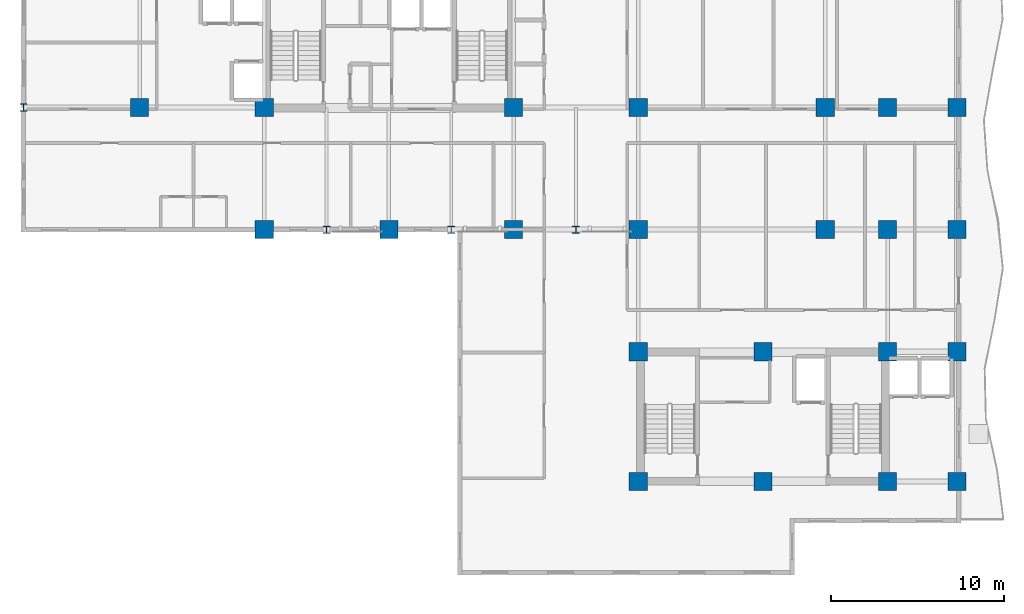
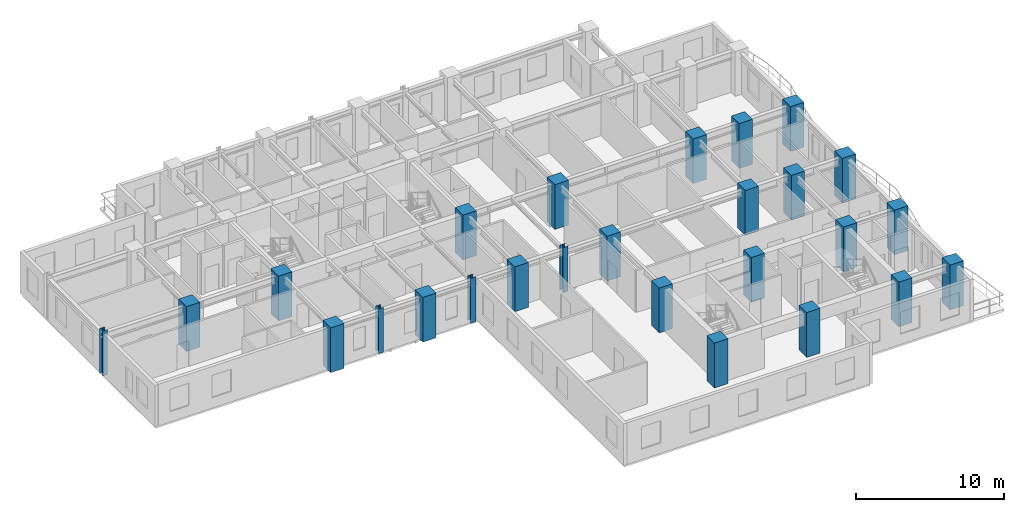
# One storey, part 1 of 13: 26 columns.
"""IFC4 building model written with IfcOpenShell, lengths in metres."""

from ifc_helpers import new_model, si_unit, direction, frame, origin, origin_2d, place, context, subcontext, project, spatial, rectangle, i_section, extrude, source, transform, mapped, material, material_profile, profile_set, type_object, element, save


model = new_model("IFC4")

# Units and contexts
model_context = context("Model", 3, precision=1e-05, world=origin(), true_north=direction((0.0, 1.0)))
body_context = subcontext(model_context, "Body", "Model", "MODEL_VIEW")
ifc_project = project(units=[si_unit("LENGTHUNIT", "METRE"), si_unit("AREAUNIT", "SQUARE_METRE"), si_unit("VOLUMEUNIT", "CUBIC_METRE"), si_unit("PLANEANGLEUNIT", "RADIAN"), si_unit("MASSUNIT", "GRAM", prefix="KILO")], contexts=[model_context])

# Site, building, storey
site_placement = place(None, origin())
site = spatial("IfcSite", under=ifc_project, at=site_placement, CompositionType="ELEMENT")
building_placement = place(site_placement, origin())
building = spatial("IfcBuilding", under=site, at=building_placement, Name="Kaliganga Portal Commons", CompositionType="ELEMENT")
storey_placement = place(building_placement, frame((0.0, 0.0, 166.10009765625)))
storey = spatial("IfcBuildingStorey", under=building, at=storey_placement, Name="L42", CompositionType="ELEMENT", Elevation=166.10009765625)

# Columns
ifc_material_1 = material(Name="Concrete C60/75", Category="concrete")
ifc_material_profile_1 = material_profile(ifc_material_1, rectangle(XDim=1.050048828125, YDim=1.050048828125, at=origin_2d()), Name="RC 1050x1050")
ifc_profile_set_1 = profile_set([ifc_material_profile_1], Name="Concrete C60/75")
column_type_1 = type_object("IfcColumnType", Name="COL-MEGA-Z3", PredefinedType="COLUMN", material=ifc_profile_set_1)
shared_shape_1 = source(origin(), body_context, "Body", "SweptSolid", [
    extrude(rectangle(XDim=1.050048828125, YDim=1.050048828125, at=origin_2d()), origin(), (0.0, 0.0, 1.0), 3.699951171875),
])
for number, where, z_axis, x_axis, name in (
    (1, (7.199951171875, 28.64990234375, 0.0), (0.0, 0.0, 1.0), (1.0, 0.0, 0.0), "Column MC-04 L42"),
    (2, (14.39990234375, 21.60009765625, 0.0), (0.0, 0.0, 1.0), (1.0, 0.0, 0.0), "Column MC-04 L42"),
    (3, (14.39990234375, 28.64990234375, 0.0), (0.0, 0.0, 1.0), (1.0, 0.0, 0.0), "Column MC-04 L42"),
    (4, (21.60009765625, 21.60009765625, 0.0), (0.0, 0.0, 1.0), (1.0, 0.0, 0.0), "Column MC-04 L42"),
    (5, (28.800048828125, 21.60009765625, 0.0), (0.0, 0.0, 1.0), (1.0, 0.0, 0.0), "Column MC-04 L42"),
    (6, (28.800048828125, 28.64990234375, 0.0), (0.0, 0.0, 1.0), (1.0, 0.0, 0.0), "Column MC-04 L42"),
    (7, (36.0, 21.60009765625, 0.0), (0.0, 0.0, 1.0), (1.0, 0.0, 0.0), "Column MC-04 L42"),
    (8, (36.0, 28.64990234375, 0.0), (0.0, 0.0, 1.0), (1.0, 0.0, 0.0), "Column MC-04 L42"),
    (9, (46.800048828125, 21.60009765625, 0.0), (0.0, 0.0, 1.0), (1.0, 0.0, 0.0), "Column MC-04 L42"),
    (10, (46.800048828125, 28.64990234375, 0.0), (0.0, 0.0, 1.0), (1.0, 0.0, 0.0), "Column MC-04 L42"),
    (11, (36.0, 7.050048828125, 0.0), (0.0, 0.0, 1.0), (1.0, 0.0, 0.0), "Column MC-04 L42"),
    (12, (36.0, 14.550048828125, 0.0), (0.0, 0.0, 1.0), (1.0, 0.0, 0.0), "Column MC-04 L42"),
    (13, (43.199951171875, 7.050048828125, 0.0), (0.0, 0.0, 1.0), (1.0, 0.0, 0.0), "Column MC-04 L42"),
    (14, (43.199951171875, 14.550048828125, 0.0), (0.0, 0.0, 1.0), (1.0, 0.0, 0.0), "Column MC-04 L42"),
    (15, (50.39990234375, 7.050048828125, 0.0), (0.0, 0.0, 1.0), (1.0, 0.0, 0.0), "Column MC-04 L42"),
    (16, (50.39990234375, 14.550048828125, 0.0), (0.0, 0.0, 1.0), (1.0, 0.0, 0.0), "Column MC-04 L42"),
    (17, (50.39990234375, 21.60009765625, 0.0), (0.0, 0.0, 1.0), (1.0, 0.0, 0.0), "Column MC-04 L42"),
    (18, (50.39990234375, 28.64990234375, 0.0), (0.0, 0.0, 1.0), (1.0, 0.0, 0.0), "Column MC-04 L42"),
    (19, (54.39990234375, 7.050048828125, 0.0), (0.0, 0.0, 1.0), (1.0, 0.0, 0.0), "Column MC-04 L42"),
    (20, (54.39990234375, 14.550048828125, 0.0), (0.0, 0.0, 1.0), (1.0, 0.0, 0.0), "Column MC-04 L42"),
    (21, (54.39990234375, 21.60009765625, 0.0), (0.0, 0.0, 1.0), (1.0, 0.0, 0.0), "Column MC-04 L42"),
    (22, (54.39990234375, 28.64990234375, 0.0), (0.0, 0.0, 1.0), (1.0, 0.0, 0.0), "Column MC-04 L42"),
):
    element("IfcColumn", number, at=place(storey_placement, frame(where, z_axis=z_axis, x_axis=x_axis)), inside=storey, type_object=column_type_1, Name=name, PredefinedType="COLUMN", context=body_context, shape_type="MappedRepresentation", body=[
        mapped(shared_shape_1, transform((0.0, 0.0, 0.0), x_axis=(1.0, 0.0, 0.0), y_axis=(0.0, 1.0, 0.0), z_axis=(0.0, 0.0, 1.0), scale=1.0)),
    ])
ifc_material_2 = material(Name="Structural steel S460M", Category="steel")
ifc_material_profile_2 = material_profile(ifc_material_2, i_section(OverallWidth=0.404052734375, OverallDepth=0.4140625, WebThickness=0.0205078125, FlangeThickness=0.028076171875, FilletRadius=0.014892578125, at=origin_2d()), Name="HD 400x347")
ifc_profile_set_2 = profile_set([ifc_material_profile_2], Name="Structural steel S460M wide-flange")
column_type_2 = type_object("IfcColumnType", Name="COL-TUBE-B3", PredefinedType="COLUMN", material=ifc_profile_set_2)
shared_shape_2 = source(origin(), body_context, "Body", "SweptSolid", [
    extrude(i_section(OverallWidth=0.404052734375, OverallDepth=0.4140625, WebThickness=0.0205078125, FlangeThickness=0.028076171875, FilletRadius=0.014892578125, at=origin_2d()), origin(), (0.0, 0.0, 1.0), 3.699951171875),
])
for number, where, z_axis, x_axis, name in (
    (23, (0.5, 28.64990234375, 0.0), (0.0, 0.0, 1.0), (1.0, 0.0, 0.0), "Column TC-03 L42"),
    (24, (18.0, 21.60009765625, 0.0), (0.0, 0.0, 1.0), (1.0, 0.0, 0.0), "Column TC-03 L42"),
    (25, (25.199951171875, 21.60009765625, 0.0), (0.0, 0.0, 1.0), (1.0, 0.0, 0.0), "Column TC-03 L42"),
    (26, (32.39990234375, 21.60009765625, 0.0), (0.0, 0.0, 1.0), (1.0, 0.0, 0.0), "Column TC-03 L42"),
):
    element("IfcColumn", number, at=place(storey_placement, frame(where, z_axis=z_axis, x_axis=x_axis)), inside=storey, type_object=column_type_2, Name=name, PredefinedType="COLUMN", context=body_context, shape_type="MappedRepresentation", body=[
        mapped(shared_shape_2, transform((0.0, 0.0, 0.0), x_axis=(1.0, 0.0, 0.0), y_axis=(0.0, 1.0, 0.0), z_axis=(0.0, 0.0, 1.0), scale=1.0)),
    ])

save(model, "model.ifc")
